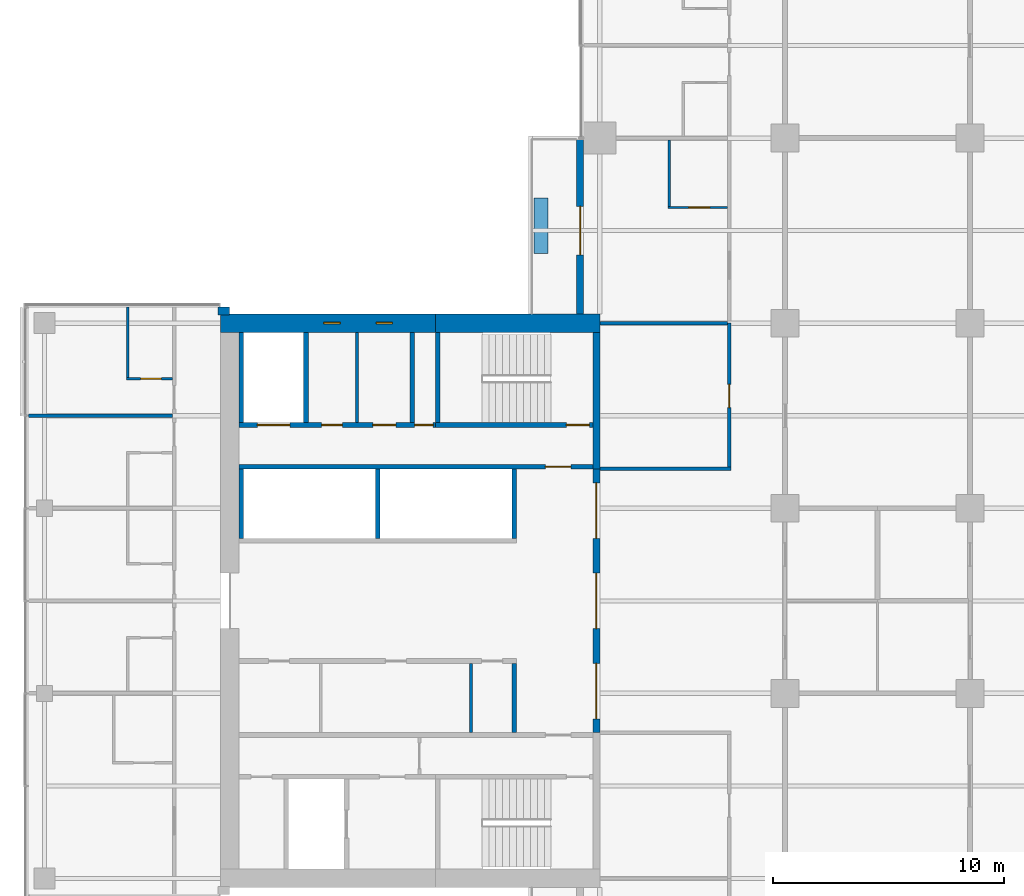
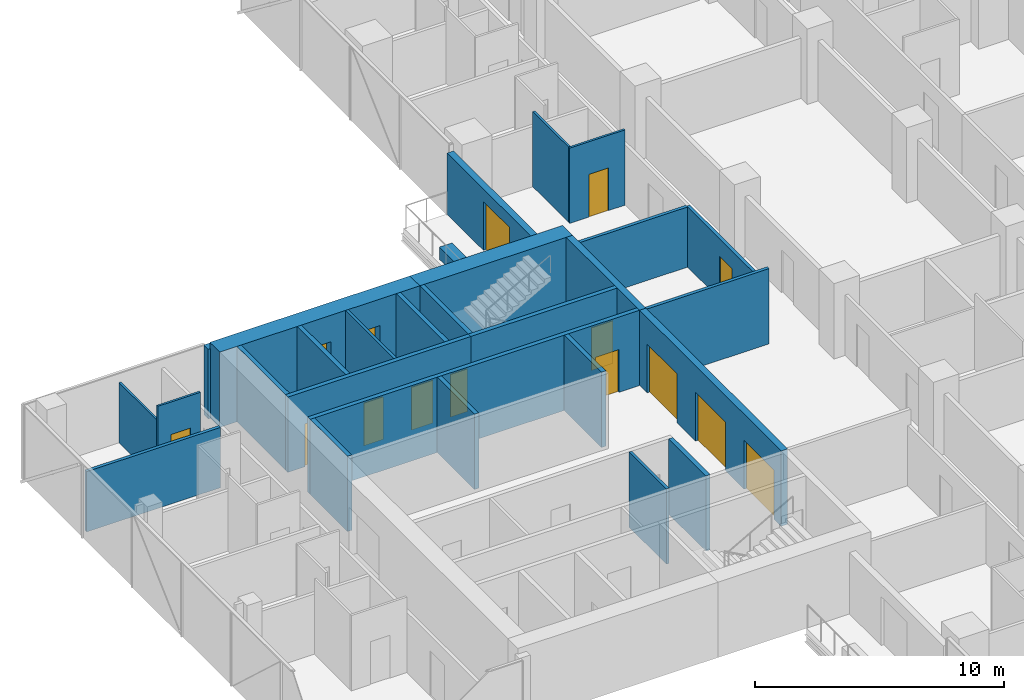
# One storey, part 18 of 27: 28 walls, 13 doors, 2 windows, 15 openings.
"""IFC4 building model written with IfcOpenShell, lengths in metres."""

from ifc_helpers import new_model, si_unit, direction, frame, frame_2d, origin, place, context, subcontext, project, spatial, rectangle, extrude, material, layer, layer_set, constituent, constituent_set, type_object, element, fill, save


model = new_model("IFC4")

# Units and contexts
model_context = context("Model", 3, precision=1e-05, world=origin(), true_north=direction((0.0, 1.0)))
body_context = subcontext(model_context, "Body", "Model", "MODEL_VIEW")
ifc_project = project(units=[si_unit("LENGTHUNIT", "METRE"), si_unit("AREAUNIT", "SQUARE_METRE"), si_unit("VOLUMEUNIT", "CUBIC_METRE"), si_unit("PLANEANGLEUNIT", "RADIAN"), si_unit("MASSUNIT", "GRAM", prefix="KILO")], contexts=[model_context])

# Site, building, storey
site_placement = place(None, origin())
site = spatial("IfcSite", under=ifc_project, at=site_placement, CompositionType="ELEMENT")
building_placement = place(site_placement, origin())
building = spatial("IfcBuilding", under=site, at=building_placement, Name="Crosswind Convention Tower", CompositionType="ELEMENT")
storey_placement = place(building_placement, frame((0.0, 0.0, 86.800048828125)))
storey = spatial("IfcBuildingStorey", under=building, at=storey_placement, Name="L16", CompositionType="ELEMENT", Elevation=86.800048828125)

# Walls
ifc_material_1 = material(Name="Concrete blockwork", Category="masonry")
ifc_layer_1 = layer(ifc_material_1, 0.199951171875)
ifc_layer_set_1 = layer_set([ifc_layer_1], Name="Blockwork partition wall 200")
wall_type_1 = type_object("IfcWallType", Name="Blockwork partition wall 200", PredefinedType="PARTITIONING", material=ifc_layer_set_1)
wall_1_placement = place(storey_placement, frame((104.89990234375, 111.60009765625, 0.0), z_axis=(0.0, 0.0, 1.0), x_axis=(0.0, -1.0, 0.0)))
element("IfcWall", 1, at=wall_1_placement, inside=storey, type_object=wall_type_1, Name="Wall MRSE W L16", PredefinedType="PARTITIONING", context=body_context, shape_type="SweptSolid", body=[
    extrude(rectangle(XDim=3.900146484375, YDim=0.199951171875, at=frame_2d((1.9501953125, 0.0))), origin(), (0.0, 0.0, 1.0), 3.699951171875),
])
ifc_material_2 = material(Name="Plasterboard partition", Category="gypsum")
ifc_layer_2 = layer(ifc_material_2, 0.14990234375)
ifc_layer_set_2 = layer_set([ifc_layer_2], Name="CORRIDOR WALL 150")
wall_type_2 = type_object("IfcWallType", Name="CORRIDOR WALL 150", PredefinedType="PARTITIONING", material=ifc_layer_set_2)
wall_2_placement = place(storey_placement, frame((113.0, 105.699951171875, 0.0), z_axis=(0.0, 0.0, 1.0), x_axis=(1.0, 0.0, 0.0)))
element("IfcWall", 2, at=wall_2_placement, inside=storey, type_object=wall_type_2, Name="Corridor Wall 41", PredefinedType="PARTITIONING", context=body_context, shape_type="SweptSolid", body=[
    extrude(rectangle(XDim=5.675048828125, YDim=0.14990234375, at=frame_2d((2.83740234375, 0.0))), origin(), (0.0, 0.0, 1.0), 3.699951171875),
])

# Wall, opening, door
wall_3_placement = place(storey_placement, frame((118.60009765625, 105.77490234375, 0.0), z_axis=(0.0, 0.0, 1.0), x_axis=(0.0, 1.0, 0.0)))
wall_3 = element("IfcWall", 3, at=wall_3_placement, inside=storey, type_object=wall_type_2, Name="Corridor Wall 81", PredefinedType="PARTITIONING", context=body_context, shape_type="SweptSolid", body=[
    extrude(rectangle(XDim=6.22509765625, YDim=0.14990234375, at=frame_2d((3.112548828125, 0.0))), origin(), (0.0, 0.0, 1.0), 2.956298828125),
])
opening_1_placement = place(wall_3_placement, frame((2.574951171875, 0.0, 0.0)))
opening_1 = element("IfcOpeningElement", 4, at=opening_1_placement, cuts=wall_3, Name="Opening 16.003", PredefinedType="OPENING", context=body_context, shape_type="SweptSolid", body=[
    extrude(rectangle(XDim=1.0, YDim=2.10009765625, at=frame_2d((0.5, 1.050048828125))), frame((0.0, 0.0849609375, 0.0), z_axis=(0.0, -1.0, 0.0), x_axis=(1.0, 0.0, 0.0)), (0.0, 0.0, 1.0), 0.169921875),
])
ifc_material_3 = material(Name="Timber fire door", Category="wood")
door_type_1 = type_object("IfcDoorType", Name="SERVICE ROOM DOOR 1000X2100", OperationType="NOTDEFINED", PredefinedType="DOOR", material=ifc_material_3)
door_1_placement = place(opening_1_placement, origin())
door_1 = element("IfcDoor", 5, at=door_1_placement, inside=storey, type_object=door_type_1, Name="Door 16.003", ObjectType="D3", OperationType="SINGLE_SWING_RIGHT", OverallHeight=2.10009765625, OverallWidth=1.0, PredefinedType="DOOR", context=body_context, shape_type="SweptSolid", body=[
    extrude(rectangle(XDim=1.0, YDim=2.10009765625, at=frame_2d((0.5, 1.050048828125))), frame((0.0, 0.02490234375, 0.0), z_axis=(0.0, -1.0, 0.0), x_axis=(1.0, 0.0, 0.0)), (0.0, 0.0, 1.0), 0.050048828125),
])
fill(opening_1, door_1)

# Wall, openings, doors
ifc_material_4 = material(Name="Concrete C50/60", Category="concrete")
ifc_layer_3 = layer(ifc_material_4, 0.300048828125)
ifc_layer_set_3 = layer_set([ifc_layer_3], Name="Concrete C50/60")
wall_type_3 = type_object("IfcWallType", Name="Concrete inner core wall 300", PredefinedType="SHEAR", material=ifc_layer_set_3)
wall_4_placement = place(storey_placement, frame((112.85009765625, 105.699951171875, 0.0), z_axis=(0.0, 0.0, 1.0), x_axis=(0.0, -1.0, 0.0)))
wall_4 = element("IfcWall", 6, at=wall_4_placement, inside=storey, type_object=wall_type_3, Name="Wall SCR W L16", PredefinedType="SHEAR", context=body_context, shape_type="SweptSolid", body=[
    extrude(rectangle(XDim=11.39990234375, YDim=0.300048828125, at=frame_2d((5.699951171875, 0.0))), origin(), (0.0, 0.0, 1.0), 3.699951171875),
])
opening_2_placement = place(wall_4_placement, frame((0.60009765625, 0.0, 0.0)))
opening_2 = element("IfcOpeningElement", 7, at=opening_2_placement, cuts=wall_4, Name="Opening D100", PredefinedType="OPENING", context=body_context, shape_type="SweptSolid", body=[
    extrude(rectangle(XDim=2.39990234375, YDim=2.39990234375, at=frame_2d((1.199951171875, 1.199951171875))), frame((0.0, 0.159912109375, 0.0), z_axis=(0.0, -1.0, 0.0), x_axis=(1.0, 0.0, 0.0)), (0.0, 0.0, 1.0), 0.320068359375),
])
opening_3_placement = place(wall_4_placement, frame((4.5, 0.0, 0.0)))
opening_3 = element("IfcOpeningElement", 8, at=opening_3_placement, cuts=wall_4, Name="Opening D100", PredefinedType="OPENING", context=body_context, shape_type="SweptSolid", body=[
    extrude(rectangle(XDim=2.39990234375, YDim=2.39990234375, at=frame_2d((1.199951171875, 1.199951171875))), frame((0.0, 0.159912109375, 0.0), z_axis=(0.0, -1.0, 0.0), x_axis=(1.0, 0.0, 0.0)), (0.0, 0.0, 1.0), 0.320068359375),
])
opening_4_placement = place(wall_4_placement, frame((8.39990234375, 0.0, 0.0)))
opening_4 = element("IfcOpeningElement", 9, at=opening_4_placement, cuts=wall_4, Name="Opening D100", PredefinedType="OPENING", context=body_context, shape_type="SweptSolid", body=[
    extrude(rectangle(XDim=2.39990234375, YDim=2.39990234375, at=frame_2d((1.199951171875, 1.199951171875))), frame((0.0, 0.159912109375, 0.0), z_axis=(0.0, -1.0, 0.0), x_axis=(1.0, 0.0, 0.0)), (0.0, 0.0, 1.0), 0.320068359375),
])
ifc_material_5 = material(Name="Steel fire door with glazed vision panels", Category="steel")
door_type_2 = type_object("IfcDoorType", Name="Fire-rated double door 2400x2400", OperationType="DOUBLE_DOOR_SINGLE_SWING", PredefinedType="DOOR", material=ifc_material_5)
door_2_placement = place(opening_2_placement, origin())
door_2 = element("IfcDoor", 10, at=door_2_placement, inside=storey, type_object=door_type_2, Name="Lobby door 1 L16", ObjectType="D100", OperationType="DOUBLE_DOOR_SINGLE_SWING", OverallHeight=2.39990234375, OverallWidth=2.39990234375, PredefinedType="DOOR", context=body_context, shape_type="SweptSolid", body=[
    extrude(rectangle(XDim=2.39990234375, YDim=2.39990234375, at=frame_2d((1.199951171875, 1.199951171875))), frame((0.0, 0.02490234375, 0.0), z_axis=(0.0, -1.0, 0.0), x_axis=(1.0, 0.0, 0.0)), (0.0, 0.0, 1.0), 0.050048828125),
])
fill(opening_2, door_2)
door_3_placement = place(opening_3_placement, origin())
door_3 = element("IfcDoor", 11, at=door_3_placement, inside=storey, type_object=door_type_2, Name="Lobby door 2 L16", ObjectType="D100", OperationType="DOUBLE_DOOR_SINGLE_SWING", OverallHeight=2.39990234375, OverallWidth=2.39990234375, PredefinedType="DOOR", context=body_context, shape_type="SweptSolid", body=[
    extrude(rectangle(XDim=2.39990234375, YDim=2.39990234375, at=frame_2d((1.199951171875, 1.199951171875))), frame((0.0, 0.02490234375, 0.0), z_axis=(0.0, -1.0, 0.0), x_axis=(1.0, 0.0, 0.0)), (0.0, 0.0, 1.0), 0.050048828125),
])
fill(opening_3, door_3)
door_4_placement = place(opening_4_placement, origin())
door_4 = element("IfcDoor", 12, at=door_4_placement, inside=storey, type_object=door_type_2, Name="Lobby door 3 L16", ObjectType="D100", OperationType="DOUBLE_DOOR_SINGLE_SWING", OverallHeight=2.39990234375, OverallWidth=2.39990234375, PredefinedType="DOOR", context=body_context, shape_type="SweptSolid", body=[
    extrude(rectangle(XDim=2.39990234375, YDim=2.39990234375, at=frame_2d((1.199951171875, 1.199951171875))), frame((0.0, 0.02490234375, 0.0), z_axis=(0.0, -1.0, 0.0), x_axis=(1.0, 0.0, 0.0)), (0.0, 0.0, 1.0), 0.050048828125),
])
fill(opening_4, door_4)

# Walls
wall_5_placement = place(storey_placement, frame((112.85009765625, 111.60009765625, 0.0), z_axis=(0.0, 0.0, 1.0), x_axis=(0.0, -1.0, 0.0)))
element("IfcWall", 13, at=wall_5_placement, inside=storey, type_object=wall_type_3, Name="Wall EM W L16", PredefinedType="SHEAR", context=body_context, shape_type="SweptSolid", body=[
    extrude(rectangle(XDim=5.900146484375, YDim=0.300048828125, at=frame_2d((2.9501953125, 0.0))), origin(), (0.0, 0.0, 1.0), 3.699951171875),
])
ifc_layer_4 = layer(ifc_material_4, 0.199951171875)
ifc_layer_set_4 = layer_set([ifc_layer_4], Name="Concrete C50/60")
wall_type_4 = type_object("IfcWallType", Name="Concrete shaft and stair wall 200", PredefinedType="SHEAR", material=ifc_layer_set_4)
for number, where, z_axis, x_axis, name in (
    (14, (109.300048828125, 97.300048828125, 0.0), (0.0, 0.0, 1.0), (0.0, -1.0, 0.0), "Wall RPEND W L16"),
    (15, (109.300048828125, 105.699951171875, 0.0), (0.0, 0.0, 1.0), (0.0, -1.0, 0.0), "Wall RMEND W L16"),
    (16, (103.39990234375, 105.699951171875, 0.0), (0.0, 0.0, 1.0), (0.0, -1.0, 0.0), "Wall RMSEP W L16"),
    (17, (97.5, 105.699951171875, 0.0), (0.0, 0.0, 1.0), (0.0, -1.0, 0.0), "Wall RMEAST W L16"),
):
    element("IfcWall", number, at=place(storey_placement, frame(where, z_axis=z_axis, x_axis=x_axis)), inside=storey, type_object=wall_type_4, Name=name, PredefinedType="SHEAR", context=body_context, shape_type="SweptSolid", body=[
        extrude(rectangle(XDim=3.0, YDim=0.199951171875, at=frame_2d((1.5, 0.0))), origin(), (0.0, 0.0, 1.0), 3.699951171875),
    ])

# Wall, opening, door
wall_6_placement = place(storey_placement, frame((112.699951171875, 105.800048828125, 0.0), z_axis=(0.0, 0.0, 1.0), x_axis=(-1.0, 0.0, 0.0)))
wall_6 = element("IfcWall", 18, at=wall_6_placement, inside=storey, type_object=wall_type_4, Name="Wall HM W L16", PredefinedType="SHEAR", context=body_context, shape_type="SweptSolid", body=[
    extrude(rectangle(XDim=15.300048828125, YDim=0.199951171875, at=frame_2d((7.64990234375, 0.0))), origin(), (0.0, 0.0, 1.0), 3.699951171875),
])
opening_5_placement = place(wall_6_placement, frame((0.949951171875, 0.0, 0.0)))
opening_5 = element("IfcOpeningElement", 19, at=opening_5_placement, cuts=wall_6, Name="Opening D104", PredefinedType="OPENING", context=body_context, shape_type="SweptSolid", body=[
    extrude(rectangle(XDim=1.10009765625, YDim=2.10009765625, at=frame_2d((0.550048828125, 1.050048828125))), frame((0.0, 0.10986328125, 0.0), z_axis=(0.0, -1.0, 0.0), x_axis=(1.0, 0.0, 0.0)), (0.0, 0.0, 1.0), 0.219970703125),
])
ifc_material_6 = material(Name="Steel fire door", Category="steel")
door_type_3 = type_object("IfcDoorType", Name="Fire-rated single door 1100x2100", OperationType="NOTDEFINED", PredefinedType="DOOR", material=ifc_material_6)
door_5_placement = place(opening_5_placement, origin())
door_5 = element("IfcDoor", 20, at=door_5_placement, inside=storey, type_object=door_type_3, Name="Corridor door L16", ObjectType="D104", OperationType="SINGLE_SWING_LEFT", OverallHeight=2.10009765625, OverallWidth=1.10009765625, PredefinedType="DOOR", context=body_context, shape_type="SweptSolid", body=[
    extrude(rectangle(XDim=1.10009765625, YDim=2.10009765625, at=frame_2d((0.550048828125, 1.050048828125))), frame((0.0, 0.02490234375, 0.0), z_axis=(0.0, -1.0, 0.0), x_axis=(1.0, 0.0, 0.0)), (0.0, 0.0, 1.0), 0.050048828125),
])
fill(opening_5, door_5)

# Walls
for number, where, z_axis, x_axis, name in (
    (21, (106.0, 111.60009765625, 0.0), (0.0, 0.0, 1.0), (0.0, -1.0, 0.0), "Wall MSE W L16"),
    (22, (100.300048828125, 111.60009765625, 0.0), (0.0, 0.0, 1.0), (0.0, -1.0, 0.0), "Wall MFSW W L16"),
    (23, (97.5, 111.60009765625, 0.0), (0.0, 0.0, 1.0), (0.0, -1.0, 0.0), "Wall MFSE W L16"),
):
    element("IfcWall", number, at=place(storey_placement, frame(where, z_axis=z_axis, x_axis=x_axis)), inside=storey, type_object=wall_type_4, Name=name, PredefinedType="SHEAR", context=body_context, shape_type="SweptSolid", body=[
        extrude(rectangle(XDim=3.900146484375, YDim=0.199951171875, at=frame_2d((1.9501953125, 0.0))), origin(), (0.0, 0.0, 1.0), 3.699951171875),
    ])

# Wall, opening, door
wall_7_placement = place(storey_placement, frame((112.699951171875, 107.60009765625, 0.0), z_axis=(0.0, 0.0, 1.0), x_axis=(-1.0, 0.0, 0.0)))
wall_7 = element("IfcWall", 24, at=wall_7_placement, inside=storey, type_object=wall_type_4, Name="Wall MCW W L16", PredefinedType="SHEAR", context=body_context, shape_type="SweptSolid", body=[
    extrude(rectangle(XDim=6.800048828125, YDim=0.199951171875, at=frame_2d((3.39990234375, 0.0))), origin(), (0.0, 0.0, 1.0), 3.699951171875),
])
opening_6_placement = place(wall_7_placement, frame((0.14990234375, 0.0, 0.0)))
opening_6 = element("IfcOpeningElement", 25, at=opening_6_placement, cuts=wall_7, Name="Opening D103", PredefinedType="OPENING", context=body_context, shape_type="SweptSolid", body=[
    extrude(rectangle(XDim=1.0, YDim=2.10009765625, at=frame_2d((0.5, 1.050048828125))), frame((0.0, 0.10986328125, 0.0), z_axis=(0.0, -1.0, 0.0), x_axis=(1.0, 0.0, 0.0)), (0.0, 0.0, 1.0), 0.219970703125),
])
door_type_4 = type_object("IfcDoorType", Name="Fire-rated single door 1000x2100", OperationType="NOTDEFINED", PredefinedType="DOOR", material=ifc_material_6)
door_6_placement = place(opening_6_placement, frame((1.0, 0.0, 0.0), z_axis=(0.0, 0.0, 1.0), x_axis=(-1.0, 0.0, 0.0)))
door_6 = element("IfcDoor", 26, at=door_6_placement, inside=storey, type_object=door_type_4, Name="Stair ST4 door L16", ObjectType="D103", OperationType="SINGLE_SWING_RIGHT", OverallHeight=2.10009765625, OverallWidth=1.0, PredefinedType="DOOR", context=body_context, shape_type="SweptSolid", body=[
    extrude(rectangle(XDim=1.0, YDim=2.10009765625, at=frame_2d((0.5, 1.050048828125))), frame((0.0, 0.02490234375, 0.0), z_axis=(0.0, -1.0, 0.0), x_axis=(1.0, 0.0, 0.0)), (0.0, 0.0, 1.0), 0.050048828125),
])
fill(opening_6, door_6)

# Wall, openings, doors
wall_8_placement = place(storey_placement, frame((105.89990234375, 107.60009765625, 0.0), z_axis=(0.0, 0.0, 1.0), x_axis=(-1.0, 0.0, 0.0)))
wall_8 = element("IfcWall", 27, at=wall_8_placement, inside=storey, type_object=wall_type_4, Name="Wall MCX W L16", PredefinedType="SHEAR", context=body_context, shape_type="SweptSolid", body=[
    extrude(rectangle(XDim=8.5, YDim=0.199951171875, at=frame_2d((4.25, 0.0))), origin(), (0.0, 0.0, 1.0), 3.699951171875),
])
opening_7_placement = place(wall_8_placement, frame((0.10009765625, 0.0, 0.0)))
opening_7 = element("IfcOpeningElement", 28, at=opening_7_placement, cuts=wall_8, Name="Opening D105", PredefinedType="OPENING", context=body_context, shape_type="SweptSolid", body=[
    extrude(rectangle(XDim=0.800048828125, YDim=2.10009765625, at=frame_2d((0.39990234375, 1.050048828125))), frame((0.0, 0.10986328125, 0.0), z_axis=(0.0, -1.0, 0.0), x_axis=(1.0, 0.0, 0.0)), (0.0, 0.0, 1.0), 0.219970703125),
])
opening_8_placement = place(wall_8_placement, frame((1.712646484375, 0.0, 0.0)))
opening_8 = element("IfcOpeningElement", 29, at=opening_8_placement, cuts=wall_8, Name="Opening D103", PredefinedType="OPENING", context=body_context, shape_type="SweptSolid", body=[
    extrude(rectangle(XDim=1.0, YDim=2.10009765625, at=frame_2d((0.5, 1.050048828125))), frame((0.0, 0.10986328125, 0.0), z_axis=(0.0, -1.0, 0.0), x_axis=(1.0, 0.0, 0.0)), (0.0, 0.0, 1.0), 0.219970703125),
])
opening_9_placement = place(wall_8_placement, frame((4.025146484375, 0.0, 0.0)))
opening_9 = element("IfcOpeningElement", 30, at=opening_9_placement, cuts=wall_8, Name="Opening D106", PredefinedType="OPENING", context=body_context, shape_type="SweptSolid", body=[
    extrude(rectangle(XDim=0.89990234375, YDim=2.10009765625, at=frame_2d((0.449951171875, 1.050048828125))), frame((0.0, 0.10986328125, 0.0), z_axis=(0.0, -1.0, 0.0), x_axis=(1.0, 0.0, 0.0)), (0.0, 0.0, 1.0), 0.219970703125),
])
opening_10_placement = place(wall_8_placement, frame((6.300048828125, 0.0, 0.0)))
opening_10 = element("IfcOpeningElement", 31, at=opening_10_placement, cuts=wall_8, Name="Opening LD2", PredefinedType="OPENING", context=body_context, shape_type="SweptSolid", body=[
    extrude(rectangle(XDim=1.39990234375, YDim=2.10009765625, at=frame_2d((0.699951171875, 1.050048828125))), frame((0.0, 0.10986328125, 0.0), z_axis=(0.0, -1.0, 0.0), x_axis=(1.0, 0.0, 0.0)), (0.0, 0.0, 1.0), 0.219970703125),
])
door_7_placement = place(opening_8_placement, frame((1.0, 0.0, 0.0), z_axis=(0.0, 0.0, 1.0), x_axis=(-1.0, 0.0, 0.0)))
door_7 = element("IfcDoor", 32, at=door_7_placement, inside=storey, type_object=door_type_4, Name="Door to accessible wc L16", ObjectType="D103", OperationType="SINGLE_SWING_LEFT", OverallHeight=2.10009765625, OverallWidth=1.0, PredefinedType="DOOR", context=body_context, shape_type="SweptSolid", body=[
    extrude(rectangle(XDim=1.0, YDim=2.10009765625, at=frame_2d((0.5, 1.050048828125))), frame((0.0, 0.02490234375, 0.0), z_axis=(0.0, -1.0, 0.0), x_axis=(1.0, 0.0, 0.0)), (0.0, 0.0, 1.0), 0.050048828125),
])
fill(opening_8, door_7)
ifc_material_7 = material(Name="Stainless steel", Category="steel")
door_type_5 = type_object("IfcDoorType", Name="Lift landing door 1400x2100", OperationType="DOUBLE_DOOR_SLIDING", PredefinedType="DOOR", material=ifc_material_7)
door_8_placement = place(opening_10_placement, origin())
door_8 = element("IfcDoor", 33, at=door_8_placement, inside=storey, type_object=door_type_5, Name="Landing door SV2 L16", ObjectType="LD2", OperationType="DOUBLE_DOOR_SLIDING", OverallHeight=2.10009765625, OverallWidth=1.39990234375, PredefinedType="DOOR", context=body_context, shape_type="SweptSolid", body=[
    extrude(rectangle(XDim=1.39990234375, YDim=2.10009765625, at=frame_2d((0.699951171875, 1.050048828125))), frame((0.0, 0.02490234375, 0.0), z_axis=(0.0, -1.0, 0.0), x_axis=(1.0, 0.0, 0.0)), (0.0, 0.0, 1.0), 0.050048828125),
])
fill(opening_10, door_8)
door_type_6 = type_object("IfcDoorType", Name="Riser access door 800x2100", OperationType="NOTDEFINED", PredefinedType="DOOR", material=ifc_material_6)
door_9_placement = place(opening_7_placement, frame((0.800048828125, 0.0, 0.0), z_axis=(0.0, 0.0, 1.0), x_axis=(-1.0, 0.0, 0.0)))
door_9 = element("IfcDoor", 34, at=door_9_placement, inside=storey, type_object=door_type_6, Name="Riser door L16", ObjectType="D105", OperationType="SINGLE_SWING_LEFT", OverallHeight=2.10009765625, OverallWidth=0.800048828125, PredefinedType="DOOR", context=body_context, shape_type="SweptSolid", body=[
    extrude(rectangle(XDim=0.800048828125, YDim=2.10009765625, at=frame_2d((0.39990234375, 1.050048828125))), frame((0.0, 0.02490234375, 0.0), z_axis=(0.0, -1.0, 0.0), x_axis=(1.0, 0.0, 0.0)), (0.0, 0.0, 1.0), 0.050048828125),
])
fill(opening_7, door_9)
ifc_material_8 = material(Name="Timber door", Category="wood")
door_type_7 = type_object("IfcDoorType", Name="Single leaf door 900x2100", OperationType="NOTDEFINED", PredefinedType="DOOR", material=ifc_material_8)
door_10_placement = place(opening_9_placement, frame((0.89990234375, 0.0, 0.0), z_axis=(0.0, 0.0, 1.0), x_axis=(-1.0, 0.0, 0.0)))
door_10 = element("IfcDoor", 35, at=door_10_placement, inside=storey, type_object=door_type_7, Name="Door to wc L16", ObjectType="D106", OperationType="SINGLE_SWING_LEFT", OverallHeight=2.10009765625, OverallWidth=0.89990234375, PredefinedType="DOOR", context=body_context, shape_type="SweptSolid", body=[
    extrude(rectangle(XDim=0.89990234375, YDim=2.10009765625, at=frame_2d((0.449951171875, 1.050048828125))), frame((0.0, 0.02490234375, 0.0), z_axis=(0.0, -1.0, 0.0), x_axis=(1.0, 0.0, 0.0)), (0.0, 0.0, 1.0), 0.050048828125),
])
fill(opening_9, door_10)

# Walls
ifc_material_9 = material(Name="Gypsum plasterboard partition", Category="gypsum")
ifc_layer_5 = layer(ifc_material_9, 0.125)
ifc_layer_set_5 = layer_set([ifc_layer_5], Name="Drywall partition wall 125")
wall_type_5 = type_object("IfcWallType", Name="Drywall partition wall 125", PredefinedType="PARTITIONING", material=ifc_layer_set_5)
wall_9_placement = place(storey_placement, frame((107.429931640625, 97.300048828125, 0.0), z_axis=(0.0, 0.0, 1.0), x_axis=(0.0, -1.0, 0.0)))
element("IfcWall", 36, at=wall_9_placement, inside=storey, type_object=wall_type_5, Name="Wall RPP1 W L16", PredefinedType="PARTITIONING", context=body_context, shape_type="SweptSolid", body=[
    extrude(rectangle(XDim=3.0, YDim=0.125, at=frame_2d((1.5, 0.0))), origin(), (0.0, 0.0, 1.0), 3.699951171875),
])
wall_10_placement = place(storey_placement, frame((102.511962890625, 111.60009765625, 0.0), z_axis=(0.0, 0.0, 1.0), x_axis=(0.0, -1.0, 0.0)))
element("IfcWall", 37, at=wall_10_placement, inside=storey, type_object=wall_type_5, Name="Wall MWP1 W L16", PredefinedType="PARTITIONING", context=body_context, shape_type="SweptSolid", body=[
    extrude(rectangle(XDim=3.900146484375, YDim=0.125, at=frame_2d((1.9501953125, 0.0))), origin(), (0.0, 0.0, 1.0), 3.699951171875),
])
ifc_material_10 = material(Name="Acoustic plasterboard partition", Category="gypsum")
ifc_layer_6 = layer(ifc_material_10, 0.14990234375)
ifc_layer_set_6 = layer_set([ifc_layer_6], Name="GUEST ROOM WALL 150")
wall_type_6 = type_object("IfcWallType", Name="GUEST ROOM WALL 150", PredefinedType="PARTITIONING", material=ifc_layer_set_6)
wall_11_placement = place(storey_placement, frame((88.300048828125, 108.0, 0.0), z_axis=(0.0, 0.0, 1.0), x_axis=(1.0, 0.0, 0.0)))
element("IfcWall", 38, at=wall_11_placement, inside=storey, type_object=wall_type_6, Name="Guest Room Wall 44", PredefinedType="PARTITIONING", context=body_context, shape_type="SweptSolid", body=[
    extrude(rectangle(XDim=6.224853515625, YDim=0.14990234375, at=frame_2d((3.1123046875, 0.0))), origin(), (0.0, 0.0, 1.0), 2.962646484375),
])
wall_12_placement = place(storey_placement, frame((113.0, 112.0, 0.0), z_axis=(0.0, 0.0, 1.0), x_axis=(1.0, 0.0, 0.0)))
element("IfcWall", 39, at=wall_12_placement, inside=storey, type_object=wall_type_6, Name="Guest Room Wall 48", PredefinedType="PARTITIONING", context=body_context, shape_type="SweptSolid", body=[
    extrude(rectangle(XDim=5.52490234375, YDim=0.14990234375, at=frame_2d((2.762451171875, 0.0))), origin(), (0.0, 0.0, 1.0), 2.956298828125),
])
ifc_material_11 = material(Name="Concrete C30/37", Category="concrete")
ifc_layer_7 = layer(ifc_material_11, 0.60009765625)
ifc_layer_set_7 = layer_set([ifc_layer_7], Name="Concrete C30/37")
wall_type_7 = type_object("IfcWallType", Name="PLANTER BOX WALL 600", PredefinedType="SOLIDWALL", material=ifc_layer_set_7)
wall_13_placement = place(storey_placement, frame((110.449951171875, 117.39990234375, 0.0), z_axis=(0.0, 0.0, 1.0), x_axis=(0.0, -1.0, 0.0)))
element("IfcWall", 40, at=wall_13_placement, inside=storey, type_object=wall_type_7, Name="PLANTER L16 N-W.1-3", PredefinedType="SOLIDWALL", context=body_context, shape_type="SweptSolid", body=[
    extrude(rectangle(XDim=2.39990234375, YDim=0.60009765625, at=frame_2d((1.199951171875, 0.0))), origin(), (0.0, 0.0, 1.0), 0.599853515625),
])
ifc_material_12 = material(Name="Terracotta rainscreen", Category="ceramic")
ifc_layer_8 = layer(ifc_material_12, 0.02001953125)
ifc_material_13 = material(Name="Mineral wool insulation", Category="insulation")
ifc_layer_9 = layer(ifc_material_13, 0.10009765625)
ifc_layer_10 = layer(ifc_material_1, 0.236083984375)
ifc_layer_set_8 = layer_set([ifc_layer_8, ifc_layer_9, ifc_layer_10], Name="TERRACOTTA CORNER INFILL WALL 356")
wall_type_8 = type_object("IfcWallType", Name="TERRACOTTA CORNER INFILL WALL 356", PredefinedType="SOLIDWALL", material=ifc_layer_set_8)
wall_14_placement = place(storey_placement, frame((96.4951171875, 112.52197265625, 0.0), z_axis=(0.0, 0.0, 1.0), x_axis=(1.0, 0.0, 0.0)))
element("IfcWall", 41, at=wall_14_placement, inside=storey, type_object=wall_type_8, Name="Core corner infill wall L16 2", PredefinedType="SOLIDWALL", context=body_context, shape_type="SweptSolid", body=[
    extrude(rectangle(XDim=0.5048828125, YDim=0.35595703125, at=frame_2d((0.25244140625, 0.0))), origin(), (0.0, 0.0, 1.0), 3.419921875),
])

# Wall, opening, door
ifc_layer_11 = layer(ifc_material_12, 0.02001953125)
ifc_layer_12 = layer(ifc_material_13, 0.10009765625)
ifc_layer_13 = layer(ifc_material_1, 0.179931640625)
ifc_layer_set_9 = layer_set([ifc_layer_11, ifc_layer_12, ifc_layer_13], Name="TERRACOTTA INFILL WALL 300")
wall_type_9 = type_object("IfcWallType", Name="TERRACOTTA INFILL WALL 300", PredefinedType="SOLIDWALL", material=ifc_layer_set_9)
wall_15_placement = place(storey_placement, frame((112.14990234375, 119.967529296875, 0.0), z_axis=(0.0, 0.0, 1.0), x_axis=(0.0, -1.0, 0.0)))
wall_15 = element("IfcWall", 42, at=wall_15_placement, inside=storey, type_object=wall_type_9, Name="Notch front wall L16 N-W.1-3", PredefinedType="SOLIDWALL", context=body_context, shape_type="SweptSolid", body=[
    extrude(rectangle(XDim=7.567626953125, YDim=0.300048828125, at=frame_2d((3.78369140625, 0.0))), origin(), (0.0, 0.0, 1.0), 3.013671875),
])
opening_11_placement = place(wall_15_placement, frame((2.91748046875, 0.0, 0.0)))
opening_11 = element("IfcOpeningElement", 43, at=opening_11_placement, cuts=wall_15, Name="Opening D141", PredefinedType="OPENING", context=body_context, shape_type="SweptSolid", body=[
    extrude(rectangle(XDim=2.10009765625, YDim=2.39990234375, at=frame_2d((1.050048828125, 1.199951171875))), frame((0.0, 0.159912109375, 0.0), z_axis=(0.0, -1.0, 0.0), x_axis=(1.0, 0.0, 0.0)), (0.0, 0.0, 1.0), 0.320068359375),
])
ifc_material_14 = material(Name="Aluminium glazed door", Category="aluminium")
door_type_8 = type_object("IfcDoorType", Name="BALCONY SLIDING DOOR 2100X2400", OperationType="SLIDING_TO_LEFT", PredefinedType="DOOR", material=ifc_material_14)
door_11_placement = place(opening_11_placement, frame((2.10009765625, 0.0, 0.0), z_axis=(0.0, 0.0, 1.0), x_axis=(-1.0, 0.0, 0.0)))
door_11 = element("IfcDoor", 44, at=door_11_placement, inside=storey, type_object=door_type_8, Name="D141 balcony door L16 N-W.1-3", ObjectType="D141", OperationType="SLIDING_TO_LEFT", OverallHeight=2.39990234375, OverallWidth=2.10009765625, PredefinedType="DOOR", context=body_context, shape_type="SweptSolid", body=[
    extrude(rectangle(XDim=2.10009765625, YDim=2.39990234375, at=frame_2d((1.050048828125, 1.199951171875))), frame((0.0, 0.02490234375, 0.0), z_axis=(0.0, -1.0, 0.0), x_axis=(1.0, 0.0, 0.0)), (0.0, 0.0, 1.0), 0.050048828125),
])
fill(opening_11, door_11)

# Wall
ifc_material_15 = material(Name="Concrete C60/75", Category="concrete")
ifc_constituent_1 = constituent(ifc_material_15, Name="Structure")
ifc_constituent_2 = constituent(ifc_material_12, Name="Facing")
ifc_constituent_set = constituent_set(constituents=[ifc_constituent_1, ifc_constituent_2], Name="Concrete C60/75, Terracotta rainscreen")
wall_type_10 = type_object("IfcWallType", Name="Terracotta rainscreen on concrete core wall 800", PredefinedType="SHEAR", material=ifc_constituent_set)
wall_16_placement = place(storey_placement, frame((113.0, 112.0, 0.0), z_axis=(0.0, 0.0, 1.0), x_axis=(-1.0, 0.0, 0.0)))
element("IfcWall", 45, at=wall_16_placement, inside=storey, type_object=wall_type_10, Name="Wall S1 W L16", PredefinedType="SHEAR", context=body_context, shape_type="SweptSolid", body=[
    extrude(rectangle(XDim=7.10009765625, YDim=0.800048828125, at=frame_2d((3.550048828125, 0.0))), origin(), (0.0, 0.0, 1.0), 3.699951171875),
])

# Wall, openings, windows
wall_17_placement = place(storey_placement, frame((105.89990234375, 112.0, 0.0), z_axis=(0.0, 0.0, 1.0), x_axis=(-1.0, 0.0, 0.0)))
wall_17 = element("IfcWall", 46, at=wall_17_placement, inside=storey, type_object=wall_type_10, Name="Wall S2 W L16", PredefinedType="SHEAR", context=body_context, shape_type="SweptSolid", body=[
    extrude(rectangle(XDim=9.2998046875, YDim=0.800048828125, at=frame_2d((4.64990234375, 0.0))), origin(), (0.0, 0.0, 1.0), 3.699951171875),
])
opening_12_placement = place(wall_17_placement, frame((1.86279296875, 0.0, 1.5)))
opening_12 = element("IfcOpeningElement", 47, at=opening_12_placement, cuts=wall_17, Name="Opening W2", PredefinedType="OPENING", context=body_context, shape_type="SweptSolid", body=[
    extrude(rectangle(XDim=0.699951171875, YDim=0.89990234375, at=frame_2d((0.35009765625, 0.449951171875))), frame((0.0, 0.409912109375, 0.0), z_axis=(0.0, -1.0, 0.0), x_axis=(1.0, 0.0, 0.0)), (0.0, 0.0, 1.0), 0.820068359375),
])
opening_13_placement = place(wall_17_placement, frame((4.125244140625, 0.0, 1.5)))
opening_13 = element("IfcOpeningElement", 48, at=opening_13_placement, cuts=wall_17, Name="Opening W2", PredefinedType="OPENING", context=body_context, shape_type="SweptSolid", body=[
    extrude(rectangle(XDim=0.699951171875, YDim=0.89990234375, at=frame_2d((0.35009765625, 0.449951171875))), frame((0.0, 0.409912109375, 0.0), z_axis=(0.0, -1.0, 0.0), x_axis=(1.0, 0.0, 0.0)), (0.0, 0.0, 1.0), 0.820068359375),
])
ifc_material_16 = material(Name="Obscure glass in aluminium frame", Category="aluminium")
window_type = type_object("IfcWindowType", Name="WC window 700x900", PartitioningType="SINGLE_PANEL", PredefinedType="WINDOW", material=ifc_material_16)
window_1_placement = place(opening_12_placement, origin())
window_1 = element("IfcWindow", 49, at=window_1_placement, inside=storey, type_object=window_type, Name="WC window L16", ObjectType="W2", OverallHeight=0.89990234375, OverallWidth=0.699951171875, PartitioningType="SINGLE_PANEL", PredefinedType="WINDOW", context=body_context, shape_type="SweptSolid", body=[
    extrude(rectangle(XDim=0.699951171875, YDim=0.89990234375, at=frame_2d((0.35009765625, 0.449951171875))), frame((0.0, 0.030029296875, 0.0), z_axis=(0.0, -1.0, 0.0), x_axis=(1.0, 0.0, 0.0)), (0.0, 0.0, 1.0), 0.06005859375),
])
fill(opening_12, window_1)
window_2_placement = place(opening_13_placement, origin())
window_2 = element("IfcWindow", 50, at=window_2_placement, inside=storey, type_object=window_type, Name="WC window L16", ObjectType="W2", OverallHeight=0.89990234375, OverallWidth=0.699951171875, PartitioningType="SINGLE_PANEL", PredefinedType="WINDOW", context=body_context, shape_type="SweptSolid", body=[
    extrude(rectangle(XDim=0.699951171875, YDim=0.89990234375, at=frame_2d((0.35009765625, 0.449951171875))), frame((0.0, 0.030029296875, 0.0), z_axis=(0.0, -1.0, 0.0), x_axis=(1.0, 0.0, 0.0)), (0.0, 0.0, 1.0), 0.06005859375),
])
fill(opening_13, window_2)

# Wall, opening, door
ifc_material_17 = material(Name="Water-resistant plasterboard partition", Category="gypsum")
ifc_layer_14 = layer(ifc_material_17, 0.10009765625)
ifc_layer_set_10 = layer_set([ifc_layer_14], Name="WET ROOM PARTITION 100")
wall_type_11 = type_object("IfcWallType", Name="WET ROOM PARTITION 100", PredefinedType="PLUMBINGWALL", material=ifc_layer_set_10)
wall_18_placement = place(storey_placement, frame((92.550048828125, 109.60009765625, 0.0), z_axis=(0.0, 0.0, 1.0), x_axis=(1.0, 0.0, 0.0)))
wall_18 = element("IfcWall", 51, at=wall_18_placement, inside=storey, type_object=wall_type_11, Name="Wet Room Partition 46", PredefinedType="PLUMBINGWALL", context=body_context, shape_type="SweptSolid", body=[
    extrude(rectangle(XDim=1.974853515625, YDim=0.10009765625, at=frame_2d((0.9873046875, 0.0))), origin(), (0.0, 0.0, 1.0), 3.699951171875),
])
opening_14_placement = place(wall_18_placement, frame((0.60009765625, 0.0, 0.0)))
opening_14 = element("IfcOpeningElement", 52, at=opening_14_placement, cuts=wall_18, Name="Opening 16.049", PredefinedType="OPENING", context=body_context, shape_type="SweptSolid", body=[
    extrude(rectangle(XDim=0.89990234375, YDim=2.10009765625, at=frame_2d((0.449951171875, 1.050048828125))), frame((0.0, 0.06005859375, 0.0), z_axis=(0.0, -1.0, 0.0), x_axis=(1.0, 0.0, 0.0)), (0.0, 0.0, 1.0), 0.1201171875),
])
door_type_9 = type_object("IfcDoorType", Name="EN-SUITE DOOR 900X2100", OperationType="NOTDEFINED", PredefinedType="DOOR", material=ifc_material_8)
door_12_placement = place(opening_14_placement, origin())
door_12 = element("IfcDoor", 53, at=door_12_placement, inside=storey, type_object=door_type_9, Name="Door 16.049", ObjectType="D2", OperationType="SINGLE_SWING_RIGHT", OverallHeight=2.10009765625, OverallWidth=0.89990234375, PredefinedType="DOOR", context=body_context, shape_type="SweptSolid", body=[
    extrude(rectangle(XDim=0.89990234375, YDim=2.10009765625, at=frame_2d((0.449951171875, 1.050048828125))), frame((0.0, 0.02490234375, 0.0), z_axis=(0.0, -1.0, 0.0), x_axis=(1.0, 0.0, 0.0)), (0.0, 0.0, 1.0), 0.050048828125),
])
fill(opening_14, door_12)

wall_19_placement = place(storey_placement, frame((115.949951171875, 117.0, 0.0), z_axis=(0.0, 0.0, 1.0), x_axis=(1.0, 0.0, 0.0)))
wall_19 = element("IfcWall", 54, at=wall_19_placement, inside=storey, type_object=wall_type_11, Name="Wet Room Partition 50", PredefinedType="PLUMBINGWALL", context=body_context, shape_type="SweptSolid", body=[
    extrude(rectangle(XDim=2.574951171875, YDim=0.10009765625, at=frame_2d((1.28759765625, 0.0))), origin(), (0.0, 0.0, 1.0), 3.699951171875),
])
opening_15_placement = place(wall_19_placement, frame((0.89990234375, 0.0, 0.0)))
opening_15 = element("IfcOpeningElement", 55, at=opening_15_placement, cuts=wall_19, Name="Opening 16.011", PredefinedType="OPENING", context=body_context, shape_type="SweptSolid", body=[
    extrude(rectangle(XDim=0.89990234375, YDim=2.10009765625, at=frame_2d((0.449951171875, 1.050048828125))), frame((0.0, 0.06005859375, 0.0), z_axis=(0.0, -1.0, 0.0), x_axis=(1.0, 0.0, 0.0)), (0.0, 0.0, 1.0), 0.1201171875),
])
door_13_placement = place(opening_15_placement, origin())
door_13 = element("IfcDoor", 56, at=door_13_placement, inside=storey, type_object=door_type_9, Name="Door 16.011", ObjectType="D2", OperationType="SINGLE_SWING_RIGHT", OverallHeight=2.10009765625, OverallWidth=0.89990234375, PredefinedType="DOOR", context=body_context, shape_type="SweptSolid", body=[
    extrude(rectangle(XDim=0.89990234375, YDim=2.10009765625, at=frame_2d((0.449951171875, 1.050048828125))), frame((0.0, 0.02490234375, 0.0), z_axis=(0.0, -1.0, 0.0), x_axis=(1.0, 0.0, 0.0)), (0.0, 0.0, 1.0), 0.050048828125),
])
fill(opening_15, door_13)

# Walls
wall_20_placement = place(storey_placement, frame((92.60009765625, 109.64990234375, 0.0), z_axis=(0.0, 0.0, 1.0), x_axis=(0.0, 1.0, 0.0)))
element("IfcWall", 57, at=wall_20_placement, inside=storey, type_object=wall_type_11, Name="Wet Room Partition 70", PredefinedType="PLUMBINGWALL", context=body_context, shape_type="SweptSolid", body=[
    extrude(rectangle(XDim=3.050048828125, YDim=0.10009765625, at=frame_2d((1.52490234375, 0.0))), origin(), (0.0, 0.0, 1.0), 2.962646484375),
])
wall_21_placement = place(storey_placement, frame((116.0, 117.050048828125, 0.0), z_axis=(0.0, 0.0, 1.0), x_axis=(0.0, 1.0, 0.0)))
element("IfcWall", 58, at=wall_21_placement, inside=storey, type_object=wall_type_11, Name="Wet Room Partition 73", PredefinedType="PLUMBINGWALL", context=body_context, shape_type="SweptSolid", body=[
    extrude(rectangle(XDim=2.875, YDim=0.10009765625, at=frame_2d((1.4375, 0.0))), origin(), (0.0, 0.0, 1.0), 3.699951171875),
])

save(model, "model.ifc")
